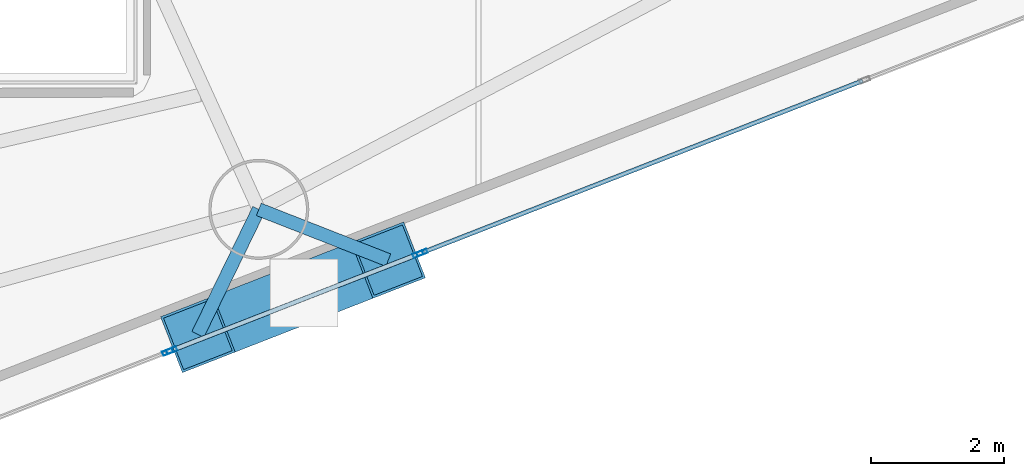
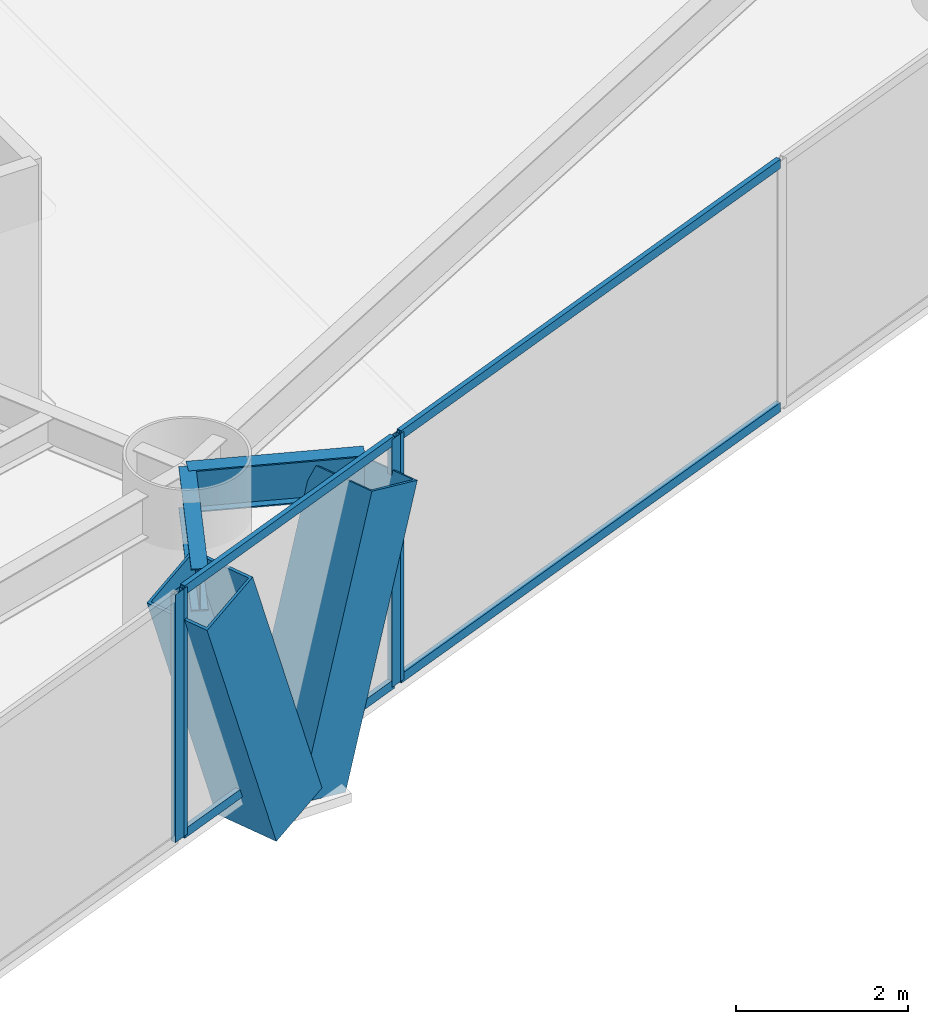
# One storey, part 4 of 21: 10 members, 2 beams, 3 elements without a shape of their own.
"""IFC4 building model written with IfcOpenShell, lengths in metres."""

from ifc_helpers import new_model, si_unit, direction, frame, origin, origin_2d, place, context, subcontext, project, spatial, hollow_rectangle, i_section, extrude, material, layer, layer_set, material_profile, profile_set, type_object, element, aggregate, save


model = new_model("IFC4")

# Units and contexts
model_context = context("Model", 3, precision=1e-05, world=origin(), true_north=direction((0.0, 1.0)))
body_context = subcontext(model_context, "Body", "Model", "MODEL_VIEW")
ifc_project = project(units=[si_unit("LENGTHUNIT", "METRE"), si_unit("AREAUNIT", "SQUARE_METRE"), si_unit("VOLUMEUNIT", "CUBIC_METRE"), si_unit("PLANEANGLEUNIT", "RADIAN"), si_unit("MASSUNIT", "GRAM", prefix="KILO")], contexts=[model_context])

# Site, building, storey
site_placement = place(None, origin())
site = spatial("IfcSite", under=ifc_project, at=site_placement, CompositionType="ELEMENT")
building_placement = place(site_placement, origin())
building = spatial("IfcBuilding", under=site, at=building_placement, Name="Qianvela Tower", CompositionType="ELEMENT")
storey_placement = place(building_placement, frame((0.0, 0.0, 131.10009765625)))
storey = spatial("IfcBuildingStorey", under=building, at=storey_placement, Name="L33", CompositionType="ELEMENT", Elevation=131.10009765625)

# Beams
ifc_material_1 = material(Name="Steel Q355B", Category="steel")
ifc_material_profile_1 = material_profile(ifc_material_1, i_section(OverallWidth=0.199951171875, OverallDepth=0.60009765625, WebThickness=0.010986328125, FlangeThickness=0.01708984375, at=origin_2d()), Name="HN600x200x11x17")
ifc_profile_set_1 = profile_set([ifc_material_profile_1], Name="Steel Q355B")
beam_type = type_object("IfcBeamType", Name="BM-HN600-GIRD", PredefinedType="BEAM", material=ifc_profile_set_1)
beam_1_placement = place(storey_placement, frame((41.988037109375, 15.95703125, 3.218017578125), z_axis=(-0.437966997882, -0.898991050437, 0.0), x_axis=(0.898991050437, -0.437966997882, 0.0)))
element("IfcBeam", 1, at=beam_1_placement, inside=storey, type_object=beam_type, Name="L33 Mega-Brace Column Tie Bracket F3-1", PredefinedType="BEAM", context=body_context, shape_type="SweptSolid", body=[
    extrude(i_section(OverallWidth=0.199951171875, OverallDepth=0.60009765625, WebThickness=0.010986328125, FlangeThickness=0.01708984375, at=origin_2d()), origin(), (0.0, 0.0, 1.0), 2.0859375),
])
beam_2_placement = place(storey_placement, frame((41.988037109375, 15.95703125, 3.218017578125), z_axis=(0.931061323952, -0.364862729037, 0.0), x_axis=(0.364862729037, 0.931061323952, 0.0)))
element("IfcBeam", 2, at=beam_2_placement, inside=storey, type_object=beam_type, Name="L33 Mega-Brace Column Tie Bracket F3-2", PredefinedType="BEAM", context=body_context, shape_type="SweptSolid", body=[
    extrude(i_section(OverallWidth=0.199951171875, OverallDepth=0.60009765625, WebThickness=0.010986328125, FlangeThickness=0.01708984375, at=origin_2d()), origin(), (0.0, 0.0, 1.0), 2.085693359375),
])

# Curtain wall, members
ifc_material_2 = material(Name="Anodised Architectural Aluminium and Insulated Spandrel Panel", Category="aluminium")
ifc_layer_1 = layer(ifc_material_2, 0.179931640625)
ifc_layer_set_1 = layer_set([ifc_layer_1], Name="Anodised Architectural Aluminium and Insulated Spandrel Panel")
curtain_wall_type_1 = type_object("IfcCurtainWallType", Name="CW-BRACEBAY", PredefinedType="USERDEFINED", material=ifc_layer_set_1)
curtain_wall_1_placement = place(storey_placement, origin())
curtain_wall_1 = element("IfcCurtainWall", 3, at=curtain_wall_1_placement, inside=storey, type_object=curtain_wall_type_1, Name="L33 CW-BRACEBAY Curtain Wall 06B", ObjectType="CURTAIN_WALL_SYSTEM", PredefinedType="USERDEFINED")
ifc_material_3 = material(Name="Anodised Architectural Aluminium 6063-T6", Category="aluminium")
ifc_material_profile_2 = material_profile(ifc_material_3, hollow_rectangle(XDim=0.06494140625, YDim=0.159912109375, WallThickness=0.0048828125, at=origin_2d()), Name="ALU-MULL-65x160")
ifc_profile_set_2 = profile_set([ifc_material_profile_2], Name="Anodised Architectural Aluminium 6063-T6")
member_type_1 = type_object("IfcMemberType", Name="CW-BRACEBAY-MULL", PredefinedType="MULLION", material=ifc_profile_set_2)
member_1_placement = place(storey_placement, frame((40.682861328125, 13.84326171875, 0.0), z_axis=(0.0, 0.0, 1.0), x_axis=(-0.363471053926, 0.931605492125, 0.0)))
member_1 = element("IfcMember", 4, at=member_1_placement, type_object=member_type_1, Name="CW-9 mullion 1", PredefinedType="MULLION", context=body_context, shape_type="SweptSolid", body=[
    extrude(hollow_rectangle(XDim=0.06494140625, YDim=0.159912109375, WallThickness=0.0048828125, at=origin_2d()), origin(), (0.0, 0.0, 1.0), 3.52001953125),
])
member_2_placement = place(storey_placement, frame((44.376708984375, 15.284423828125, 0.0), z_axis=(0.0, 0.0, 1.0), x_axis=(-0.363471053926, 0.931605492125, 0.0)))
member_2 = element("IfcMember", 5, at=member_2_placement, type_object=member_type_1, Name="CW-9 mullion 2", PredefinedType="MULLION", context=body_context, shape_type="SweptSolid", body=[
    extrude(hollow_rectangle(XDim=0.06494140625, YDim=0.159912109375, WallThickness=0.0048828125, at=origin_2d()), origin(), (0.0, 0.0, 1.0), 3.52001953125),
])
ifc_material_4 = material(Name="Anodised Architectural Aluminium 6063-T6", Category="aluminium")
ifc_material_profile_3 = material_profile(ifc_material_4, hollow_rectangle(XDim=0.06494140625, YDim=0.1298828125, WallThickness=0.00439453125, at=origin_2d()), Name="ALU-TRAN-65x130")
ifc_profile_set_3 = profile_set([ifc_material_profile_3], Name="Anodised Architectural Aluminium 6063-T6")
member_type_2 = type_object("IfcMemberType", Name="CW-BRACEBAY-TRAN", PredefinedType="USERDEFINED", material=ifc_profile_set_3)
member_3_placement = place(storey_placement, frame((40.713134765625, 13.855224609375, 0.032470703125), z_axis=(0.931611743153, 0.363455031632, 0.0), x_axis=(-0.363455031632, 0.931611743153, 0.0)))
member_3 = element("IfcMember", 6, at=member_3_placement, type_object=member_type_2, Name="CW-9 transom 1.1", ObjectType="TRANSOM", PredefinedType="USERDEFINED", context=body_context, shape_type="SweptSolid", body=[
    extrude(hollow_rectangle(XDim=0.06494140625, YDim=0.1298828125, WallThickness=0.00439453125, at=origin_2d()), origin(), (0.0, 0.0, 1.0), 3.89990234375),
])
member_4_placement = place(storey_placement, frame((40.713134765625, 13.855224609375, 3.4873046875), z_axis=(0.931611743153, 0.363455031632, 0.0), x_axis=(-0.363455031632, 0.931611743153, 0.0)))
member_4 = element("IfcMember", 7, at=member_4_placement, type_object=member_type_2, Name="CW-9 transom 1.2", ObjectType="TRANSOM", PredefinedType="USERDEFINED", context=body_context, shape_type="SweptSolid", body=[
    extrude(hollow_rectangle(XDim=0.06494140625, YDim=0.1298828125, WallThickness=0.00439453125, at=origin_2d()), origin(), (0.0, 0.0, 1.0), 3.89990234375),
])
aggregate(curtain_wall_1, [member_1, member_2, member_3, member_4])

# Curtain wall, member
ifc_material_5 = material(Name="Anodised Architectural Aluminium and Low-E Glass", Category="aluminium")
ifc_layer_2 = layer(ifc_material_5, 0.169921875)
ifc_layer_set_2 = layer_set([ifc_layer_2], Name="Anodised Architectural Aluminium and Low-E Glass")
curtain_wall_type_2 = type_object("IfcCurtainWallType", Name="CW-COLIV-Z34", PredefinedType="USERDEFINED", material=ifc_layer_set_2)
curtain_wall_2_placement = place(storey_placement, origin())
curtain_wall_2 = element("IfcCurtainWall", 8, at=curtain_wall_2_placement, inside=storey, type_object=curtain_wall_type_2, Name="L33 CW-COLIV-Z34 Curtain Wall 06A", ObjectType="CURTAIN_WALL_SYSTEM", PredefinedType="USERDEFINED")
ifc_material_6 = material(Name="Anodised Architectural Aluminium 6063-T6", Category="aluminium")
ifc_material_profile_4 = material_profile(ifc_material_6, hollow_rectangle(XDim=0.06494140625, YDim=0.159912109375, WallThickness=0.0048828125, at=origin_2d()), Name="ALU-MULL-65x160")
ifc_profile_set_4 = profile_set([ifc_material_profile_4], Name="Anodised Architectural Aluminium 6063-T6")
member_type_3 = type_object("IfcMemberType", Name="CW-COLIV-Z34-MULL", PredefinedType="MULLION", material=ifc_profile_set_4)
member_5_placement = place(storey_placement, frame((40.622314453125, 13.819580078125, 0.0), z_axis=(0.0, 0.0, 1.0), x_axis=(-0.363463212794, 0.931608551348, 0.0)))
member_5 = element("IfcMember", 9, at=member_5_placement, type_object=member_type_3, Name="CW-4 mullion 2", PredefinedType="MULLION", context=body_context, shape_type="SweptSolid", body=[
    extrude(hollow_rectangle(XDim=0.06494140625, YDim=0.159912109375, WallThickness=0.0048828125, at=origin_2d()), origin(), (0.0, 0.0, 1.0), 3.52001953125),
])
aggregate(curtain_wall_2, [member_5])

# Curtain wall, members
curtain_wall_3_placement = place(storey_placement, origin())
curtain_wall_3 = element("IfcCurtainWall", 10, at=curtain_wall_3_placement, inside=storey, type_object=curtain_wall_type_2, Name="L33 CW-COLIV-Z34 Curtain Wall 06C", ObjectType="CURTAIN_WALL_SYSTEM", PredefinedType="USERDEFINED")
member_6_placement = place(storey_placement, frame((44.437255859375, 15.30810546875, 0.0), z_axis=(0.0, 0.0, 1.0), x_axis=(-0.363459223587, 0.931610107711, 0.0)))
member_6 = element("IfcMember", 11, at=member_6_placement, type_object=member_type_3, Name="CW-4 mullion 1", PredefinedType="MULLION", context=body_context, shape_type="SweptSolid", body=[
    extrude(hollow_rectangle(XDim=0.06494140625, YDim=0.159912109375, WallThickness=0.0048828125, at=origin_2d()), origin(), (0.0, 0.0, 1.0), 3.52001953125),
])
ifc_material_7 = material(Name="Anodised Architectural Aluminium 6063-T6", Category="aluminium")
ifc_material_profile_5 = material_profile(ifc_material_7, hollow_rectangle(XDim=0.06494140625, YDim=0.1298828125, WallThickness=0.00439453125, at=origin_2d()), Name="ALU-TRAN-65x130")
ifc_profile_set_5 = profile_set([ifc_material_profile_5], Name="Anodised Architectural Aluminium 6063-T6")
member_type_4 = type_object("IfcMemberType", Name="CW-COLIV-Z34-TRAN", PredefinedType="USERDEFINED", material=ifc_profile_set_5)
member_7_placement = place(storey_placement, frame((44.467529296875, 15.31982421875, 0.032470703125), z_axis=(0.931608184706, 0.36346415255, 0.0), x_axis=(-0.36346415255, 0.931608184706, 0.0)))
member_7 = element("IfcMember", 12, at=member_7_placement, type_object=member_type_4, Name="CW-4 transom 1.1", ObjectType="TRANSOM", PredefinedType="USERDEFINED", context=body_context, shape_type="SweptSolid", body=[
    extrude(hollow_rectangle(XDim=0.06494140625, YDim=0.1298828125, WallThickness=0.00439453125, at=origin_2d()), origin(), (0.0, 0.0, 1.0), 7.058837890625),
])
member_8_placement = place(storey_placement, frame((44.467529296875, 15.31982421875, 3.4873046875), z_axis=(0.931608184706, 0.36346415255, 0.0), x_axis=(-0.36346415255, 0.931608184706, 0.0)))
member_8 = element("IfcMember", 13, at=member_8_placement, type_object=member_type_4, Name="CW-4 transom 1.2", ObjectType="TRANSOM", PredefinedType="USERDEFINED", context=body_context, shape_type="SweptSolid", body=[
    extrude(hollow_rectangle(XDim=0.06494140625, YDim=0.1298828125, WallThickness=0.00439453125, at=origin_2d()), origin(), (0.0, 0.0, 1.0), 7.058837890625),
])
aggregate(curtain_wall_3, [member_6, member_7, member_8])

# Members
ifc_material_8 = material(Name="Steel Q420GJC", Category="steel")
ifc_material_profile_6 = material_profile(ifc_material_8, hollow_rectangle(XDim=0.89990234375, YDim=0.89990234375, WallThickness=0.035888671875, at=origin_2d()), Name="MBOX-900x900x36")
ifc_profile_set_6 = profile_set([ifc_material_profile_6], Name="Steel Q420GJC")
member_type_5 = type_object("IfcMemberType", Name="MBR-MBRACE-900", PredefinedType="BRACE", material=ifc_profile_set_6)
member_9_placement = place(storey_placement, frame((42.2744140625, 14.550048828125, -0.482177734375), z_axis=(-0.306267516007, -0.119515990987, 0.944413117517), x_axis=(0.363534461819, -0.931580750698, 0.0)))
element("IfcMember", 14, at=member_9_placement, inside=storey, type_object=member_type_5, Name="L33 Tier 5 Exterior Mega-Brace F3A", PredefinedType="BRACE", context=body_context, shape_type="SweptSolid", body=[
    extrude(hollow_rectangle(XDim=0.89990234375, YDim=0.89990234375, WallThickness=0.035888671875, at=origin_2d()), origin(), (0.0, 0.0, 1.0), 3.91796875),
])
member_10_placement = place(storey_placement, frame((42.68408203125, 14.7099609375, -0.482177734375), z_axis=(0.316651862327, 0.12354572955, 0.940461615801), x_axis=(-0.363476793339, 0.931603252841, 0.0)))
element("IfcMember", 15, at=member_10_placement, inside=storey, type_object=member_type_5, Name="L33 Tier 5 Exterior Mega-Brace F3B", PredefinedType="BRACE", context=body_context, shape_type="SweptSolid", body=[
    extrude(hollow_rectangle(XDim=0.89990234375, YDim=0.89990234375, WallThickness=0.035888671875, at=origin_2d()), origin(), (0.0, 0.0, 1.0), 3.934326171875),
])

save(model, "model.ifc")
